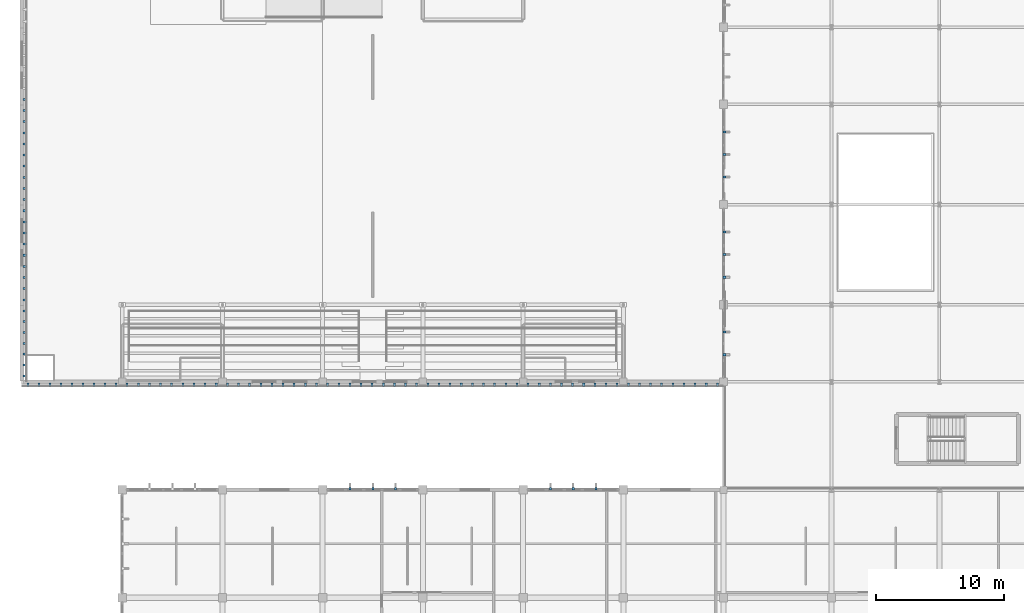
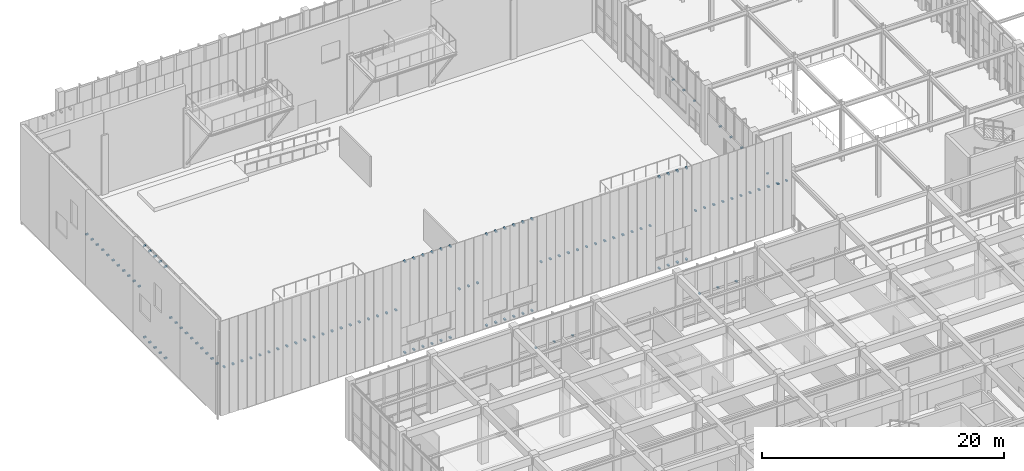
# One storey, part 81 of 105: 124 discrete accessories.
"""IFC4 building model written with IfcOpenShell, lengths in metres."""

import ifcopenshell
import ifcopenshell.guid

model = None  # the IFC model being written
_history = None  # IfcOwnerHistory: only IFC2X3 demands one
_inside = {}  # id of a spatial element -> (the spatial element, [elements in it])
_under = {}  # id of a project, library or spatial element -> (it, [spatial elements below it])
_declared = {}  # id of a project -> (the project, [libraries it declares])
_typed = {}  # id of a type object -> (the type object, [elements of that type])
_made_of = {}  # id of a material, layer set ... -> (it, [elements and type objects made of it])


def new_model(schema):
    """Start an empty IFC model of exactly this schema.

    Asked for "IFC4X3", IfcOpenShell would pick the latest addendum, in which some entities
    have other attributes; the version numbers below select the first issue.
    IFC2X3 requires an IfcOwnerHistory on every rooted entity: one is made here for all.
    """
    global model, _history
    if schema == "IFC4X3":
        model = ifcopenshell.file(schema_version=(4, 3, 0, 0))
    else:
        model = ifcopenshell.file(schema=schema)
    _inside.clear()
    _under.clear()
    _declared.clear()
    _typed.clear()
    _made_of.clear()
    _history = None
    if model.schema == "IFC2X3":
        org = make("IfcOrganization", Name="unknown")
        user = make(
            "IfcPersonAndOrganization",
            ThePerson=make("IfcPerson", FamilyName="unknown"),
            TheOrganization=org,
        )
        app = make(
            "IfcApplication",
            ApplicationDeveloper=org,
            Version="unknown",
            ApplicationFullName="unknown",
            ApplicationIdentifier="unknown",
        )
        _history = make(
            "IfcOwnerHistory",
            OwningUser=user,
            OwningApplication=app,
            ChangeAction="ADDED",
            CreationDate=0,
        )
    return model


def make(cls, **values):
    """One entity of the class cls with the attributes given. An attribute that is None is left unset."""
    return model.create_entity(
        cls, **{name: value for name, value in values.items() if value is not None}
    )


def rooted(cls, **values):
    """An entity with a GlobalId (a new one), such as an element, a storey or a relation."""
    return make(cls, GlobalId=ifcopenshell.guid.new(), OwnerHistory=_history, **values)


def si_unit(unit_type, name, prefix=None):
    """IfcSIUnit, for example si_unit("LENGTHUNIT", "METRE", prefix="MILLI")."""
    return make("IfcSIUnit", UnitType=unit_type, Prefix=prefix, Name=name)


def assignment(units):
    """IfcUnitAssignment: the units of a project."""
    return None if units is None else make("IfcUnitAssignment", Units=units)


def point(xyz):
    """IfcCartesianPoint."""
    return None if xyz is None else make("IfcCartesianPoint", Coordinates=xyz)


def direction(xyz):
    """IfcDirection."""
    return None if xyz is None else make("IfcDirection", DirectionRatios=xyz)


def frame(location, z_axis=None, x_axis=None):
    """IfcAxis2Placement3D, a coordinate frame: its origin and axes. An axis left out is left unset."""
    return make(
        "IfcAxis2Placement3D",
        Location=point(location),
        Axis=direction(z_axis),
        RefDirection=direction(x_axis),
    )


def frame_2d(location, x_axis=None):
    """IfcAxis2Placement2D, a coordinate frame in the plane: its origin and x axis."""
    return make(
        "IfcAxis2Placement2D", Location=point(location), RefDirection=direction(x_axis)
    )


def origin():
    """The frame at (0, 0, 0) with its axes left unset."""
    return frame((0.0, 0.0, 0.0))


def origin_2d():
    """The frame at (0, 0) in the plane with its x axis left unset."""
    return frame_2d((0.0, 0.0))


def place(relative_to, where):
    """IfcLocalPlacement: puts the frame where relative to a parent placement (None: the world)."""
    return make(
        "IfcLocalPlacement", PlacementRelTo=relative_to, RelativePlacement=where
    )


def context(
    kind, dimensions, precision=None, world=None, true_north=None, identifier=None
):
    """IfcGeometricRepresentationContext, for example the 3D "Model" context."""
    return make(
        "IfcGeometricRepresentationContext",
        ContextIdentifier=identifier,
        ContextType=kind,
        CoordinateSpaceDimension=dimensions,
        Precision=precision,
        WorldCoordinateSystem=world,
        TrueNorth=true_north,
    )


def subcontext(parent, identifier, kind, view, scale=None):
    """IfcGeometricRepresentationSubContext, for example "Body" below "Model"."""
    return make(
        "IfcGeometricRepresentationSubContext",
        ContextIdentifier=identifier,
        ContextType=kind,
        ParentContext=parent,
        TargetScale=scale,
        TargetView=view,
    )


def project(units=None, contexts=None):
    """IfcProject with its units and contexts."""
    return rooted(
        "IfcProject",
        Name="project",
        RepresentationContexts=contexts,
        UnitsInContext=assignment(units),
    )


def spatial(cls, under=None, at=None, **own):
    """A site, building, storey or space (cls), placed at a placement, below another one or the project."""
    s = rooted(cls, ObjectPlacement=at, **own)
    if under is not None:
        _under.setdefault(under.id(), (under, []))[1].append(s)
    return s


def profile(cls, at=None, kind="AREA", **sizes):
    """A parametric profile (cls). Its sizes go by their IFC names, for example OverallWidth=200.0."""
    return make(cls, ProfileType=kind, Position=at, **sizes)


def rectangle(**sizes):
    """IfcRectangleProfileDef."""
    return profile("IfcRectangleProfileDef", **sizes)


def extrude(swept, where, along, depth):
    """IfcExtrudedAreaSolid: the profile swept, set in the frame where, extruded along a direction by depth."""
    return make(
        "IfcExtrudedAreaSolid",
        SweptArea=swept,
        Position=where,
        ExtrudedDirection=direction(along),
        Depth=depth,
    )


def shape(context_of_items, identifier, shape_type, items):
    """IfcShapeRepresentation: the items that make up one representation, for example the "Body"."""
    return make(
        "IfcShapeRepresentation",
        ContextOfItems=context_of_items,
        RepresentationIdentifier=identifier,
        RepresentationType=shape_type,
        Items=items,
    )


def material(Name=None, Category=None):
    """IfcMaterial."""
    return make("IfcMaterial", Name=Name, Category=Category)


def made_of(thing, what):
    """Note that an element or type object is made of a material, layer set ...; save() writes the relation."""
    if what is not None:
        _made_of.setdefault(what.id(), (what, []))[1].append(thing)
    return thing


def type_object(cls, material=None, **own):
    """A type object (cls), such as IfcWallType, which elements share."""
    return made_of(rooted(cls, **own), material)


def element(
    cls,
    number,
    at=None,
    inside=None,
    cuts=None,
    type_object=None,
    material=None,
    context=None,
    identifier="Body",
    shape_type=None,
    held_by="IfcProductDefinitionShape",
    body=None,
    shapes=None,
    **own,
):
    """One element of the class cls, such as IfcWall. Its Tag is "e" and its number.

    at: its placement. inside: the storey or other place that contains it. cuts: it is an
    opening in that element (IfcRelVoidsElement). A single representation is given by context,
    identifier, shape_type and body (its items); several are given by shapes. held_by: the class
    of the entity that holds the representations. save() writes the other relations.
    """
    e = rooted(cls, Tag="e%d" % number, ObjectPlacement=at, **own)
    if body is not None:
        shapes = [shape(context, identifier, shape_type, body)]
    if shapes is not None:
        e.Representation = make(held_by, Representations=shapes)
    if inside is not None:
        _inside.setdefault(inside.id(), (inside, []))[1].append(e)
    if cuts is not None:
        rooted(
            "IfcRelVoidsElement", RelatingBuildingElement=cuts, RelatedOpeningElement=e
        )
    if type_object is not None:
        _typed.setdefault(type_object.id(), (type_object, []))[1].append(e)
    return made_of(e, material)


def aggregate(whole, parts):
    """IfcRelAggregates: a whole, such as a stair, and the parts it consists of."""
    return rooted("IfcRelAggregates", RelatingObject=whole, RelatedObjects=parts)


def save(model, path):
    """Write the relations noted so far, then the file.

    IfcRelAggregates (storeys below a building ...), IfcRelContainedInSpatialStructure (elements
    in a storey), IfcRelDefinesByType, IfcRelAssociatesMaterial and IfcRelDeclares: one each for
    every whole, place, type object, material and project.
    """
    for whole, parts in _under.values():
        aggregate(whole, parts)
    for where, things in _inside.values():
        rooted(
            "IfcRelContainedInSpatialStructure",
            RelatedElements=things,
            RelatingStructure=where,
        )
    for kind, things in _typed.values():
        rooted("IfcRelDefinesByType", RelatedObjects=things, RelatingType=kind)
    for what, things in _made_of.values():
        rooted("IfcRelAssociatesMaterial", RelatedObjects=things, RelatingMaterial=what)
    for by, libraries in _declared.values():
        rooted("IfcRelDeclares", RelatingContext=by, RelatedDefinitions=libraries)
    model.write(path)


model = new_model("IFC4")

# Units and contexts
model_context = context("Model", 3, precision=1e-05, world=origin(), true_north=direction((0.0, 1.0)))
body_context = subcontext(model_context, "Body", "Model", "MODEL_VIEW")
ifc_project = project(units=[si_unit("LENGTHUNIT", "METRE"), si_unit("AREAUNIT", "SQUARE_METRE"), si_unit("VOLUMEUNIT", "CUBIC_METRE"), si_unit("PLANEANGLEUNIT", "RADIAN"), si_unit("MASSUNIT", "GRAM", prefix="KILO")], contexts=[model_context])

# Site, building, storey
site_placement = place(None, origin())
site = spatial("IfcSite", under=ifc_project, at=site_placement, CompositionType="ELEMENT")
building_placement = place(site_placement, origin())
building = spatial("IfcBuilding", under=site, at=building_placement, Name="Tizgana Railside Sports Hall", CompositionType="ELEMENT")
storey_placement = place(building_placement, frame((0.0, 0.0, 6.0)))
storey = spatial("IfcBuildingStorey", under=building, at=storey_placement, Name="L01", CompositionType="ELEMENT", Elevation=6.0)

# Discrete accessories
ifc_material = material(Name="Steel S355J2", Category="steel")
discrete_accessory_type = type_object("IfcDiscreteAccessoryType", Name="Stainless Facade Support Bracket", PredefinedType="BRACKET", material=ifc_material)
for number, where, z_axis, x_axis, name in (
    (1, (7.322265625, 40.580078125, 4.72998046875), (0.0, 0.0, 1.0), (-1.0, 0.0, 0.0), "L01 Screen Bracket"),
    (2, (6.466796875, 40.580078125, 4.72998046875), (0.0, 0.0, 1.0), (-1.0, 0.0, 0.0), "L01 Screen Bracket"),
    (3, (5.611083984375, 40.580078125, 4.72998046875), (0.0, 0.0, 1.0), (-1.0, 0.0, 0.0), "L01 Screen Bracket"),
    (4, (4.755615234375, 40.580078125, 4.72998046875), (0.0, 0.0, 1.0), (-1.0, 0.0, 0.0), "L01 Screen Bracket"),
    (5, (3.89990234375, 40.580078125, 4.72998046875), (0.0, 0.0, 1.0), (-1.0, 0.0, 0.0), "L01 Screen Bracket"),
    (6, (3.04443359375, 40.580078125, 4.72998046875), (0.0, 0.0, 1.0), (-1.0, 0.0, 0.0), "L01 Screen Bracket"),
    (7, (2.18896484375, 40.580078125, 4.72998046875), (0.0, 0.0, 1.0), (-1.0, 0.0, 0.0), "L01 Screen Bracket"),
    (8, (1.333251953125, 40.580078125, 4.72998046875), (0.0, 0.0, 1.0), (-1.0, 0.0, 0.0), "L01 Screen Bracket"),
    (9, (0.477783203125, 40.580078125, 4.72998046875), (0.0, 0.0, 1.0), (-1.0, 0.0, 0.0), "L01 Screen Bracket"),
    (10, (15.116943359375, 40.580078125, 4.72998046875), (0.0, 0.0, 1.0), (-1.0, 0.0, 0.0), "L01 Screen Bracket"),
    (11, (14.250732421875, 40.580078125, 4.72998046875), (0.0, 0.0, 1.0), (-1.0, 0.0, 0.0), "L01 Screen Bracket"),
    (12, (13.384765625, 40.580078125, 4.72998046875), (0.0, 0.0, 1.0), (-1.0, 0.0, 0.0), "L01 Screen Bracket"),
    (13, (12.5185546875, 40.580078125, 4.72998046875), (0.0, 0.0, 1.0), (-1.0, 0.0, 0.0), "L01 Screen Bracket"),
    (14, (11.652587890625, 40.580078125, 4.72998046875), (0.0, 0.0, 1.0), (-1.0, 0.0, 0.0), "L01 Screen Bracket"),
    (15, (10.786376953125, 40.580078125, 4.72998046875), (0.0, 0.0, 1.0), (-1.0, 0.0, 0.0), "L01 Screen Bracket"),
    (16, (9.92041015625, 40.580078125, 4.72998046875), (0.0, 0.0, 1.0), (-1.0, 0.0, 0.0), "L01 Screen Bracket"),
    (17, (9.05419921875, 40.580078125, 4.72998046875), (0.0, 0.0, 1.0), (-1.0, 0.0, 0.0), "L01 Screen Bracket"),
    (18, (8.18798828125, 40.580078125, 4.72998046875), (0.0, 0.0, 1.0), (-1.0, 0.0, 0.0), "L01 Screen Bracket"),
    (19, (22.9169921875, 40.580078125, 4.72998046875), (0.0, 0.0, 1.0), (-1.0, 0.0, 0.0), "L01 Screen Bracket"),
):
    element("IfcDiscreteAccessory", number, at=place(storey_placement, frame(where, z_axis=z_axis, x_axis=x_axis)), inside=storey, type_object=discrete_accessory_type, Name=name, PredefinedType="BRACKET", context=body_context, shape_type="SweptSolid", body=[
        extrude(rectangle(XDim=0.159912109375, YDim=0.25, at=origin_2d()), origin(), (0.0, 0.0, 1.0), 0.139892578125),
    ])
for number, where, z_axis, x_axis, name in (
    (20, (22.05078125, 40.580078125, 0.1298828125), (0.0, 0.0, 1.0), (-1.0, 0.0, 0.0), "L01 Spandrel Bracket"),
    (21, (22.05078125, 40.580078125, 9.330078125), (0.0, 0.0, 1.0), (-1.0, 0.0, 0.0), "L01 Header Bracket"),
    (22, (21.184814453125, 40.580078125, 0.1298828125), (0.0, 0.0, 1.0), (-1.0, 0.0, 0.0), "L01 Spandrel Bracket"),
    (23, (21.184814453125, 40.580078125, 9.330078125), (0.0, 0.0, 1.0), (-1.0, 0.0, 0.0), "L01 Header Bracket"),
    (24, (20.318603515625, 40.580078125, 0.1298828125), (0.0, 0.0, 1.0), (-1.0, 0.0, 0.0), "L01 Spandrel Bracket"),
    (25, (20.318603515625, 40.580078125, 9.330078125), (0.0, 0.0, 1.0), (-1.0, 0.0, 0.0), "L01 Header Bracket"),
    (26, (19.452392578125, 40.580078125, 0.1298828125), (0.0, 0.0, 1.0), (-1.0, 0.0, 0.0), "L01 Spandrel Bracket"),
    (27, (19.452392578125, 40.580078125, 9.330078125), (0.0, 0.0, 1.0), (-1.0, 0.0, 0.0), "L01 Header Bracket"),
    (28, (18.58642578125, 40.580078125, 0.1298828125), (0.0, 0.0, 1.0), (-1.0, 0.0, 0.0), "L01 Spandrel Bracket"),
    (29, (18.58642578125, 40.580078125, 9.330078125), (0.0, 0.0, 1.0), (-1.0, 0.0, 0.0), "L01 Header Bracket"),
    (30, (17.72021484375, 40.580078125, 0.1298828125), (0.0, 0.0, 1.0), (-1.0, 0.0, 0.0), "L01 Spandrel Bracket"),
    (31, (17.72021484375, 40.580078125, 9.330078125), (0.0, 0.0, 1.0), (-1.0, 0.0, 0.0), "L01 Header Bracket"),
):
    element("IfcDiscreteAccessory", number, at=place(storey_placement, frame(where, z_axis=z_axis, x_axis=x_axis)), inside=storey, type_object=discrete_accessory_type, Name=name, PredefinedType="BRACKET", context=body_context, shape_type="SweptSolid", body=[
        extrude(rectangle(XDim=0.159912109375, YDim=0.260009765625, at=origin_2d()), origin(), (0.0, 0.0, 1.0), 0.139892578125),
    ])
for number, where, z_axis, x_axis, name in (
    (32, (16.854248046875, 40.580078125, 4.72998046875), (0.0, 0.0, 1.0), (-1.0, 0.0, 0.0), "L01 Screen Bracket"),
    (33, (15.988037109375, 40.580078125, 4.72998046875), (0.0, 0.0, 1.0), (-1.0, 0.0, 0.0), "L01 Screen Bracket"),
    (34, (30.716796875, 40.580078125, 4.72998046875), (0.0, 0.0, 1.0), (-1.0, 0.0, 0.0), "L01 Screen Bracket"),
):
    element("IfcDiscreteAccessory", number, at=place(storey_placement, frame(where, z_axis=z_axis, x_axis=x_axis)), inside=storey, type_object=discrete_accessory_type, Name=name, PredefinedType="BRACKET", context=body_context, shape_type="SweptSolid", body=[
        extrude(rectangle(XDim=0.159912109375, YDim=0.25, at=origin_2d()), origin(), (0.0, 0.0, 1.0), 0.139892578125),
    ])
for number, where, z_axis, x_axis, name in (
    (35, (29.850830078125, 40.580078125, 0.1298828125), (0.0, 0.0, 1.0), (-1.0, 0.0, 0.0), "L01 Spandrel Bracket"),
    (36, (29.850830078125, 40.580078125, 9.330078125), (0.0, 0.0, 1.0), (-1.0, 0.0, 0.0), "L01 Header Bracket"),
    (37, (28.984619140625, 40.580078125, 0.1298828125), (0.0, 0.0, 1.0), (-1.0, 0.0, 0.0), "L01 Spandrel Bracket"),
    (38, (28.984619140625, 40.580078125, 9.330078125), (0.0, 0.0, 1.0), (-1.0, 0.0, 0.0), "L01 Header Bracket"),
    (39, (28.11865234375, 40.580078125, 0.1298828125), (0.0, 0.0, 1.0), (-1.0, 0.0, 0.0), "L01 Spandrel Bracket"),
    (40, (28.11865234375, 40.580078125, 9.330078125), (0.0, 0.0, 1.0), (-1.0, 0.0, 0.0), "L01 Header Bracket"),
    (41, (27.25244140625, 40.580078125, 0.1298828125), (0.0, 0.0, 1.0), (-1.0, 0.0, 0.0), "L01 Spandrel Bracket"),
    (42, (27.25244140625, 40.580078125, 9.330078125), (0.0, 0.0, 1.0), (-1.0, 0.0, 0.0), "L01 Header Bracket"),
    (43, (26.386474609375, 40.580078125, 0.1298828125), (0.0, 0.0, 1.0), (-1.0, 0.0, 0.0), "L01 Spandrel Bracket"),
    (44, (26.386474609375, 40.580078125, 9.330078125), (0.0, 0.0, 1.0), (-1.0, 0.0, 0.0), "L01 Header Bracket"),
    (45, (25.520263671875, 40.580078125, 0.1298828125), (0.0, 0.0, 1.0), (-1.0, 0.0, 0.0), "L01 Spandrel Bracket"),
    (46, (25.520263671875, 40.580078125, 9.330078125), (0.0, 0.0, 1.0), (-1.0, 0.0, 0.0), "L01 Header Bracket"),
):
    element("IfcDiscreteAccessory", number, at=place(storey_placement, frame(where, z_axis=z_axis, x_axis=x_axis)), inside=storey, type_object=discrete_accessory_type, Name=name, PredefinedType="BRACKET", context=body_context, shape_type="SweptSolid", body=[
        extrude(rectangle(XDim=0.159912109375, YDim=0.260009765625, at=origin_2d()), origin(), (0.0, 0.0, 1.0), 0.139892578125),
    ])
for number, where, z_axis, x_axis, name in (
    (47, (24.654296875, 40.580078125, 4.72998046875), (0.0, 0.0, 1.0), (-1.0, 0.0, 0.0), "L01 Screen Bracket"),
    (48, (23.7880859375, 40.580078125, 4.72998046875), (0.0, 0.0, 1.0), (-1.0, 0.0, 0.0), "L01 Screen Bracket"),
    (49, (38.516845703125, 40.580078125, 4.72998046875), (0.0, 0.0, 1.0), (-1.0, 0.0, 0.0), "L01 Screen Bracket"),
    (50, (37.65087890625, 40.580078125, 4.72998046875), (0.0, 0.0, 1.0), (-1.0, 0.0, 0.0), "L01 Screen Bracket"),
    (51, (36.78466796875, 40.580078125, 4.72998046875), (0.0, 0.0, 1.0), (-1.0, 0.0, 0.0), "L01 Screen Bracket"),
    (52, (35.918701171875, 40.580078125, 4.72998046875), (0.0, 0.0, 1.0), (-1.0, 0.0, 0.0), "L01 Screen Bracket"),
    (53, (35.052490234375, 40.580078125, 4.72998046875), (0.0, 0.0, 1.0), (-1.0, 0.0, 0.0), "L01 Screen Bracket"),
    (54, (34.186279296875, 40.580078125, 4.72998046875), (0.0, 0.0, 1.0), (-1.0, 0.0, 0.0), "L01 Screen Bracket"),
    (55, (33.3203125, 40.580078125, 4.72998046875), (0.0, 0.0, 1.0), (-1.0, 0.0, 0.0), "L01 Screen Bracket"),
    (56, (32.4541015625, 40.580078125, 4.72998046875), (0.0, 0.0, 1.0), (-1.0, 0.0, 0.0), "L01 Screen Bracket"),
    (57, (31.588134765625, 40.580078125, 4.72998046875), (0.0, 0.0, 1.0), (-1.0, 0.0, 0.0), "L01 Screen Bracket"),
    (58, (46.31689453125, 40.580078125, 4.72998046875), (0.0, 0.0, 1.0), (-1.0, 0.0, 0.0), "L01 Screen Bracket"),
    (59, (45.45068359375, 40.580078125, 4.72998046875), (0.0, 0.0, 1.0), (-1.0, 0.0, 0.0), "L01 Screen Bracket"),
):
    element("IfcDiscreteAccessory", number, at=place(storey_placement, frame(where, z_axis=z_axis, x_axis=x_axis)), inside=storey, type_object=discrete_accessory_type, Name=name, PredefinedType="BRACKET", context=body_context, shape_type="SweptSolid", body=[
        extrude(rectangle(XDim=0.159912109375, YDim=0.25, at=origin_2d()), origin(), (0.0, 0.0, 1.0), 0.139892578125),
    ])
for number, where, z_axis, x_axis, name in (
    (60, (44.584716796875, 40.580078125, 0.1298828125), (0.0, 0.0, 1.0), (-1.0, 0.0, 0.0), "L01 Spandrel Bracket"),
    (61, (44.584716796875, 40.580078125, 9.330078125), (0.0, 0.0, 1.0), (-1.0, 0.0, 0.0), "L01 Header Bracket"),
    (62, (43.718505859375, 40.580078125, 0.1298828125), (0.0, 0.0, 1.0), (-1.0, 0.0, 0.0), "L01 Spandrel Bracket"),
    (63, (43.718505859375, 40.580078125, 9.330078125), (0.0, 0.0, 1.0), (-1.0, 0.0, 0.0), "L01 Header Bracket"),
    (64, (42.8525390625, 40.580078125, 0.1298828125), (0.0, 0.0, 1.0), (-1.0, 0.0, 0.0), "L01 Spandrel Bracket"),
    (65, (42.8525390625, 40.580078125, 9.330078125), (0.0, 0.0, 1.0), (-1.0, 0.0, 0.0), "L01 Header Bracket"),
    (66, (41.986328125, 40.580078125, 0.1298828125), (0.0, 0.0, 1.0), (-1.0, 0.0, 0.0), "L01 Spandrel Bracket"),
    (67, (41.986328125, 40.580078125, 9.330078125), (0.0, 0.0, 1.0), (-1.0, 0.0, 0.0), "L01 Header Bracket"),
):
    element("IfcDiscreteAccessory", number, at=place(storey_placement, frame(where, z_axis=z_axis, x_axis=x_axis)), inside=storey, type_object=discrete_accessory_type, Name=name, PredefinedType="BRACKET", context=body_context, shape_type="SweptSolid", body=[
        extrude(rectangle(XDim=0.159912109375, YDim=0.260009765625, at=origin_2d()), origin(), (0.0, 0.0, 1.0), 0.139892578125),
    ])
for number, where, z_axis, x_axis, name in (
    (68, (41.120361328125, 40.580078125, 4.72998046875), (0.0, 0.0, 1.0), (-1.0, 0.0, 0.0), "L01 Screen Bracket"),
    (69, (40.254150390625, 40.580078125, 4.72998046875), (0.0, 0.0, 1.0), (-1.0, 0.0, 0.0), "L01 Screen Bracket"),
    (70, (39.38818359375, 40.580078125, 4.72998046875), (0.0, 0.0, 1.0), (-1.0, 0.0, 0.0), "L01 Screen Bracket"),
    (71, (54.116943359375, 40.580078125, 4.72998046875), (0.0, 0.0, 1.0), (-1.0, 0.0, 0.0), "L01 Screen Bracket"),
    (72, (53.250732421875, 40.580078125, 4.72998046875), (0.0, 0.0, 1.0), (-1.0, 0.0, 0.0), "L01 Screen Bracket"),
    (73, (52.384765625, 40.580078125, 4.72998046875), (0.0, 0.0, 1.0), (-1.0, 0.0, 0.0), "L01 Screen Bracket"),
    (74, (51.5185546875, 40.580078125, 4.72998046875), (0.0, 0.0, 1.0), (-1.0, 0.0, 0.0), "L01 Screen Bracket"),
    (75, (50.652587890625, 40.580078125, 4.72998046875), (0.0, 0.0, 1.0), (-1.0, 0.0, 0.0), "L01 Screen Bracket"),
    (76, (49.786376953125, 40.580078125, 4.72998046875), (0.0, 0.0, 1.0), (-1.0, 0.0, 0.0), "L01 Screen Bracket"),
    (77, (48.92041015625, 40.580078125, 4.72998046875), (0.0, 0.0, 1.0), (-1.0, 0.0, 0.0), "L01 Screen Bracket"),
    (78, (48.05419921875, 40.580078125, 4.72998046875), (0.0, 0.0, 1.0), (-1.0, 0.0, 0.0), "L01 Screen Bracket"),
    (79, (47.18798828125, 40.580078125, 4.72998046875), (0.0, 0.0, 1.0), (-1.0, 0.0, 0.0), "L01 Screen Bracket"),
    (80, (0.219970703125, 46.32861328125, 4.72998046875), (0.0, 0.0, 1.0), (0.0, -1.0, 0.0), "L01 Screen Bracket"),
    (81, (0.219970703125, 45.485595703125, 4.72998046875), (0.0, 0.0, 1.0), (0.0, -1.0, 0.0), "L01 Screen Bracket"),
    (82, (0.219970703125, 44.642822265625, 4.72998046875), (0.0, 0.0, 1.0), (0.0, -1.0, 0.0), "L01 Screen Bracket"),
    (83, (0.219970703125, 43.800048828125, 4.72998046875), (0.0, 0.0, 1.0), (0.0, -1.0, 0.0), "L01 Screen Bracket"),
    (84, (0.219970703125, 42.95703125, 4.72998046875), (0.0, 0.0, 1.0), (0.0, -1.0, 0.0), "L01 Screen Bracket"),
    (85, (0.219970703125, 42.1142578125, 4.72998046875), (0.0, 0.0, 1.0), (0.0, -1.0, 0.0), "L01 Screen Bracket"),
    (86, (0.219970703125, 41.271484375, 4.72998046875), (0.0, 0.0, 1.0), (0.0, -1.0, 0.0), "L01 Screen Bracket"),
    (87, (0.219970703125, 54.116943359375, 4.72998046875), (0.0, 0.0, 1.0), (0.0, -1.0, 0.0), "L01 Screen Bracket"),
):
    element("IfcDiscreteAccessory", number, at=place(storey_placement, frame(where, z_axis=z_axis, x_axis=x_axis)), inside=storey, type_object=discrete_accessory_type, Name=name, PredefinedType="BRACKET", context=body_context, shape_type="SweptSolid", body=[
        extrude(rectangle(XDim=0.159912109375, YDim=0.25, at=origin_2d()), origin(), (0.0, 0.0, 1.0), 0.139892578125),
    ])
for number, where, z_axis, x_axis, name in (
    (88, (0.219970703125, 53.250732421875, 0.1298828125), (0.0, 0.0, 1.0), (0.0, -1.0, 0.0), "L01 Spandrel Bracket"),
    (89, (0.219970703125, 53.250732421875, 9.330078125), (0.0, 0.0, 1.0), (0.0, -1.0, 0.0), "L01 Header Bracket"),
    (90, (0.219970703125, 52.384765625, 0.1298828125), (0.0, 0.0, 1.0), (0.0, -1.0, 0.0), "L01 Spandrel Bracket"),
    (91, (0.219970703125, 52.384765625, 9.330078125), (0.0, 0.0, 1.0), (0.0, -1.0, 0.0), "L01 Header Bracket"),
    (92, (0.219970703125, 51.5185546875, 0.1298828125), (0.0, 0.0, 1.0), (0.0, -1.0, 0.0), "L01 Spandrel Bracket"),
    (93, (0.219970703125, 51.5185546875, 9.330078125), (0.0, 0.0, 1.0), (0.0, -1.0, 0.0), "L01 Header Bracket"),
    (94, (0.219970703125, 50.652587890625, 0.1298828125), (0.0, 0.0, 1.0), (0.0, -1.0, 0.0), "L01 Spandrel Bracket"),
    (95, (0.219970703125, 50.652587890625, 9.330078125), (0.0, 0.0, 1.0), (0.0, -1.0, 0.0), "L01 Header Bracket"),
    (96, (0.219970703125, 49.786376953125, 0.1298828125), (0.0, 0.0, 1.0), (0.0, -1.0, 0.0), "L01 Spandrel Bracket"),
    (97, (0.219970703125, 49.786376953125, 9.330078125), (0.0, 0.0, 1.0), (0.0, -1.0, 0.0), "L01 Header Bracket"),
):
    element("IfcDiscreteAccessory", number, at=place(storey_placement, frame(where, z_axis=z_axis, x_axis=x_axis)), inside=storey, type_object=discrete_accessory_type, Name=name, PredefinedType="BRACKET", context=body_context, shape_type="SweptSolid", body=[
        extrude(rectangle(XDim=0.159912109375, YDim=0.260009765625, at=origin_2d()), origin(), (0.0, 0.0, 1.0), 0.139892578125),
    ])
for number, where, z_axis, x_axis, name in (
    (98, (0.219970703125, 48.92041015625, 4.72998046875), (0.0, 0.0, 1.0), (0.0, -1.0, 0.0), "L01 Screen Bracket"),
    (99, (0.219970703125, 48.05419921875, 4.72998046875), (0.0, 0.0, 1.0), (0.0, -1.0, 0.0), "L01 Screen Bracket"),
    (100, (0.219970703125, 47.18798828125, 4.72998046875), (0.0, 0.0, 1.0), (0.0, -1.0, 0.0), "L01 Screen Bracket"),
    (101, (0.219970703125, 61.9169921875, 4.72998046875), (0.0, 0.0, 1.0), (0.0, -1.0, 0.0), "L01 Screen Bracket"),
    (102, (0.219970703125, 61.05078125, 4.72998046875), (0.0, 0.0, 1.0), (0.0, -1.0, 0.0), "L01 Screen Bracket"),
    (103, (0.219970703125, 60.184814453125, 4.72998046875), (0.0, 0.0, 1.0), (0.0, -1.0, 0.0), "L01 Screen Bracket"),
    (104, (0.219970703125, 59.318603515625, 4.72998046875), (0.0, 0.0, 1.0), (0.0, -1.0, 0.0), "L01 Screen Bracket"),
    (105, (0.219970703125, 58.452392578125, 4.72998046875), (0.0, 0.0, 1.0), (0.0, -1.0, 0.0), "L01 Screen Bracket"),
    (106, (0.219970703125, 57.58642578125, 4.72998046875), (0.0, 0.0, 1.0), (0.0, -1.0, 0.0), "L01 Screen Bracket"),
    (107, (0.219970703125, 56.72021484375, 4.72998046875), (0.0, 0.0, 1.0), (0.0, -1.0, 0.0), "L01 Screen Bracket"),
    (108, (0.219970703125, 55.854248046875, 4.72998046875), (0.0, 0.0, 1.0), (0.0, -1.0, 0.0), "L01 Screen Bracket"),
    (109, (0.219970703125, 54.988037109375, 4.72998046875), (0.0, 0.0, 1.0), (0.0, -1.0, 0.0), "L01 Screen Bracket"),
    (110, (0.219970703125, 62.783203125, 4.72998046875), (0.0, 0.0, 1.0), (0.0, -1.0, 0.0), "L01 Screen Bracket"),
):
    element("IfcDiscreteAccessory", number, at=place(storey_placement, frame(where, z_axis=z_axis, x_axis=x_axis)), inside=storey, type_object=discrete_accessory_type, Name=name, PredefinedType="BRACKET", context=body_context, shape_type="SweptSolid", body=[
        extrude(rectangle(XDim=0.159912109375, YDim=0.25, at=origin_2d()), origin(), (0.0, 0.0, 1.0), 0.139892578125),
    ])
for number, where, z_axis, x_axis, name in (
    (111, (25.5400390625, 32.47998046875, 2.800048828125), (0.0, 0.0, 1.0), (1.0, 0.0, 0.0), "L01 Fin Bracket"),
    (112, (27.300048828125, 32.47998046875, 2.800048828125), (0.0, 0.0, 1.0), (1.0, 0.0, 0.0), "L01 Fin Bracket"),
    (113, (29.06005859375, 32.47998046875, 2.800048828125), (0.0, 0.0, 1.0), (1.0, 0.0, 0.0), "L01 Fin Bracket"),
    (114, (41.139892578125, 32.47998046875, 2.800048828125), (0.0, 0.0, 1.0), (1.0, 0.0, 0.0), "L01 Fin Bracket"),
    (115, (42.89990234375, 32.47998046875, 2.800048828125), (0.0, 0.0, 1.0), (1.0, 0.0, 0.0), "L01 Fin Bracket"),
    (116, (44.659912109375, 32.47998046875, 2.800048828125), (0.0, 0.0, 1.0), (1.0, 0.0, 0.0), "L01 Fin Bracket"),
    (117, (54.679931640625, 44.6650390625, 2.784912109375), (0.0, 0.0, 1.0), (0.0, -1.0, 0.0), "L01 Fin Bracket"),
    (118, (54.679931640625, 42.909912109375, 2.784912109375), (0.0, 0.0, 1.0), (0.0, -1.0, 0.0), "L01 Fin Bracket"),
    (119, (54.679931640625, 52.4599609375, 2.784912109375), (0.0, 0.0, 1.0), (0.0, -1.0, 0.0), "L01 Fin Bracket"),
    (120, (54.679931640625, 50.699951171875, 2.784912109375), (0.0, 0.0, 1.0), (0.0, -1.0, 0.0), "L01 Fin Bracket"),
    (121, (54.679931640625, 48.93994140625, 2.784912109375), (0.0, 0.0, 1.0), (0.0, -1.0, 0.0), "L01 Fin Bracket"),
    (122, (54.679931640625, 60.260009765625, 2.784912109375), (0.0, 0.0, 1.0), (0.0, -1.0, 0.0), "L01 Fin Bracket"),
    (123, (54.679931640625, 58.5, 2.784912109375), (0.0, 0.0, 1.0), (0.0, -1.0, 0.0), "L01 Fin Bracket"),
    (124, (54.679931640625, 56.739990234375, 2.784912109375), (0.0, 0.0, 1.0), (0.0, -1.0, 0.0), "L01 Fin Bracket"),
):
    element("IfcDiscreteAccessory", number, at=place(storey_placement, frame(where, z_axis=z_axis, x_axis=x_axis)), inside=storey, type_object=discrete_accessory_type, Name=name, PredefinedType="BRACKET", context=body_context, shape_type="SweptSolid", body=[
        extrude(rectangle(XDim=0.159912109375, YDim=0.219970703125, at=origin_2d()), origin(), (0.0, 0.0, 1.0), 0.1201171875),
    ])

save(model, "model.ifc")
